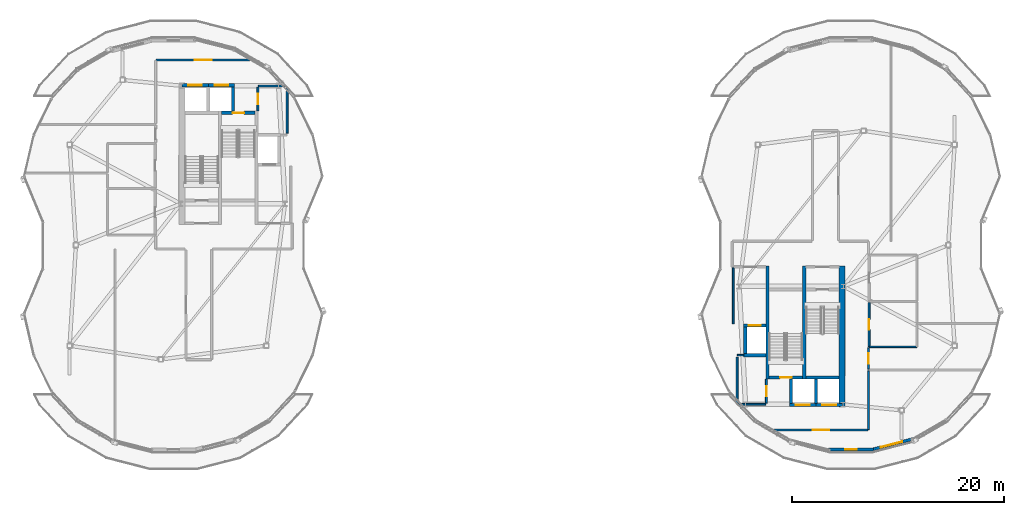
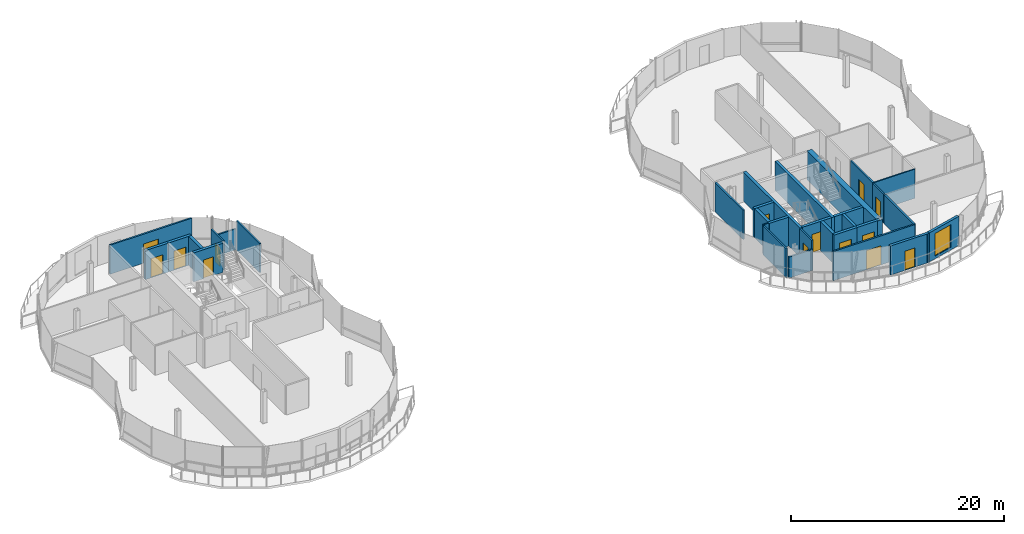
# One storey, part 13 of 20: 32 walls, 14 doors, 1 window, 15 openings.
"""IFC4 building model written with IfcOpenShell, lengths in metres."""

from ifc_helpers import new_model, si_unit, direction, frame, frame_2d, origin, place, context, subcontext, project, spatial, rectangle, extrude, material, layer, layer_set, type_object, element, fill, save


model = new_model("IFC4")

# Units and contexts
model_context = context("Model", 3, precision=1e-05, world=origin(), true_north=direction((0.0, 1.0)))
body_context = subcontext(model_context, "Body", "Model", "MODEL_VIEW")
ifc_project = project(units=[si_unit("LENGTHUNIT", "METRE"), si_unit("AREAUNIT", "SQUARE_METRE"), si_unit("VOLUMEUNIT", "CUBIC_METRE"), si_unit("PLANEANGLEUNIT", "RADIAN"), si_unit("MASSUNIT", "GRAM", prefix="KILO"), si_unit("THERMODYNAMICTEMPERATUREUNIT", "KELVIN"), si_unit("POWERUNIT", "WATT")], contexts=[model_context])

# Site, building, storey
site_placement = place(None, origin())
site = spatial("IfcSite", under=ifc_project, at=site_placement, CompositionType="ELEMENT")
building_placement = place(site_placement, origin())
building = spatial("IfcBuilding", under=site, at=building_placement, Name="Cundina Bronze Exchange", CompositionType="ELEMENT")
storey_placement = place(building_placement, frame((0.0, 0.0, 282.800048828125)))
storey = spatial("IfcBuildingStorey", under=building, at=storey_placement, Name="L75", CompositionType="ELEMENT", Elevation=282.800048828125)

# Walls
ifc_material_1 = material(Name="Gypsum Fireboard Partition EI120")
ifc_layer_1 = layer(ifc_material_1, 0.179931640625, Name="Gypsum Fireboard Partition EI120")
ifc_layer_set_1 = layer_set([ifc_layer_1], Name="Gypsum Fireboard Partition EI120")
wall_type_1 = type_object("IfcWallType", Name="WL-COR-180", PredefinedType="PARTITIONING", material=ifc_layer_set_1)
wall_1_placement = place(storey_placement, frame((20.889892578125, -7.449951171875, 0.0), z_axis=(0.0, 0.0, 1.0), x_axis=(0.0, 1.0, 0.0)))
element("IfcWall", 1, at=wall_1_placement, inside=storey, type_object=wall_type_1, Name="L75 E Firefighting Lobby Side Wall", PredefinedType="PARTITIONING", context=body_context, shape_type="SweptSolid", body=[
    extrude(rectangle(XDim=5.300048828125, YDim=0.179931640625, at=frame_2d((2.64990234375, 0.0))), origin(), (0.0, 0.0, 1.0), 3.33984375),
])
wall_2_placement = place(storey_placement, frame((-21.25, 10.570068359375, 0.0), z_axis=(0.0, 0.0, 1.0), x_axis=(0.0, 1.0, 0.0)))
element("IfcWall", 2, at=wall_2_placement, inside=storey, type_object=wall_type_1, Name="L75 Interior Partition 002", PredefinedType="PARTITIONING", context=body_context, shape_type="SweptSolid", body=[
    extrude(rectangle(XDim=4.35986328125, YDim=0.179931640625, at=frame_2d((2.179931640625, 0.0))), origin(), (0.0, 0.0, 1.0), 3.33984375),
])
wall_3_placement = place(storey_placement, frame((-23.9599609375, 15.030029296875, 0.0), z_axis=(0.0, 0.0, 1.0), x_axis=(1.0, 0.0, 0.0)))
element("IfcWall", 3, at=wall_3_placement, inside=storey, type_object=wall_type_1, Name="L75 Interior Partition 003", PredefinedType="PARTITIONING", context=body_context, shape_type="SweptSolid", body=[
    extrude(rectangle(XDim=2.60986328125, YDim=0.179931640625, at=frame_2d((1.304931640625, 0.0))), origin(), (0.0, 0.0, 1.0), 2.412841796875),
])

# Wall, opening, door
wall_4_placement = place(storey_placement, frame((-24.02001953125, 12.669921875, 0.0), z_axis=(0.0, 0.0, 1.0), x_axis=(0.0, 1.0, 0.0)))
wall_4 = element("IfcWall", 4, at=wall_4_placement, inside=storey, type_object=wall_type_1, Name="L75 Interior Partition 004", PredefinedType="PARTITIONING", context=body_context, shape_type="SweptSolid", body=[
    extrude(rectangle(XDim=2.260009765625, YDim=0.179931640625, at=frame_2d((1.1298828125, 0.0))), origin(), (0.0, 0.0, 1.0), 3.33984375),
])
opening_1_placement = place(wall_4_placement, frame((0.655029296875, 0.0, 0.0)))
opening_1 = element("IfcOpeningElement", 5, at=opening_1_placement, cuts=wall_4, Name="Opening DW-01", PredefinedType="OPENING", context=body_context, shape_type="SweptSolid", body=[
    extrude(rectangle(XDim=0.949951171875, YDim=2.10009765625, at=frame_2d((0.47509765625, 1.050048828125))), frame((0.0, 0.099853515625, 0.0), z_axis=(0.0, -1.0, 0.0), x_axis=(1.0, 0.0, 0.0)), (0.0, 0.0, 1.0), 0.199951171875),
])
ifc_material_2 = material(Name="Solid Andean Oak Timber Grade A", Category="wood")
door_type_1 = type_object("IfcDoorType", Name="DR-WC-950", OperationType="NOTDEFINED", PredefinedType="DOOR", material=ifc_material_2)
door_1_placement = place(opening_1_placement, origin())
door_1 = element("IfcDoor", 6, at=door_1_placement, inside=storey, type_object=door_type_1, Name="L75 Interior Door 004", OperationType="SINGLE_SWING_LEFT", OverallHeight=2.10009765625, OverallWidth=0.949951171875, PredefinedType="DOOR", context=body_context, shape_type="SweptSolid", body=[
    extrude(rectangle(XDim=0.949951171875, YDim=2.10009765625, at=frame_2d((0.47509765625, 1.050048828125))), frame((0.0, 0.02490234375, 0.0), z_axis=(0.0, -1.0, 0.0), x_axis=(1.0, 0.0, 0.0)), (0.0, 0.0, 1.0), 0.050048828125),
])
fill(opening_1, door_1)

wall_5_placement = place(storey_placement, frame((-24.736083984375, 17.469970703125, 0.0), z_axis=(0.0, 0.0, 1.0), x_axis=(-1.0, 0.0, 0.0)))
wall_5 = element("IfcWall", 7, at=wall_5_placement, inside=storey, type_object=wall_type_1, Name="L75 Interior Partition 024", PredefinedType="PARTITIONING", context=body_context, shape_type="SweptSolid", body=[
    extrude(rectangle(XDim=8.892333984375, YDim=0.179931640625, at=frame_2d((4.4462890625, 0.0))), origin(), (0.0, 0.0, 1.0), 3.33984375),
])
opening_2_placement = place(wall_5_placement, frame((3.646240234375, 0.0, 0.0)))
opening_2 = element("IfcOpeningElement", 8, at=opening_2_placement, cuts=wall_5, Name="Opening DO-02", PredefinedType="OPENING", context=body_context, shape_type="SweptSolid", body=[
    extrude(rectangle(XDim=1.60009765625, YDim=2.199951171875, at=frame_2d((0.800048828125, 1.10009765625))), frame((0.0, 0.099853515625, 0.0), z_axis=(0.0, -1.0, 0.0), x_axis=(1.0, 0.0, 0.0)), (0.0, 0.0, 1.0), 0.199951171875),
])
door_type_2 = type_object("IfcDoorType", Name="DR-TRD-1600", OperationType="NOTDEFINED", PredefinedType="DOOR", material=ifc_material_2)
door_2_placement = place(opening_2_placement, origin())
door_2 = element("IfcDoor", 9, at=door_2_placement, inside=storey, type_object=door_type_2, Name="L75 Interior Door 024", OperationType="SINGLE_SWING_LEFT", OverallHeight=2.199951171875, OverallWidth=1.60009765625, PredefinedType="DOOR", context=body_context, shape_type="SweptSolid", body=[
    extrude(rectangle(XDim=1.60009765625, YDim=2.199951171875, at=frame_2d((0.800048828125, 1.10009765625))), frame((0.0, 0.02490234375, 0.0), z_axis=(0.0, -1.0, 0.0), x_axis=(1.0, 0.0, 0.0)), (0.0, 0.0, 1.0), 0.050048828125),
])
fill(opening_2, door_2)

# Walls
wall_6_placement = place(storey_placement, frame((21.25, -14.929931640625, 0.0), z_axis=(0.0, 0.0, 1.0), x_axis=(0.0, 1.0, 0.0)))
element("IfcWall", 10, at=wall_6_placement, inside=storey, type_object=wall_type_1, Name="L75 Interior Partition 027", PredefinedType="PARTITIONING", context=body_context, shape_type="SweptSolid", body=[
    extrude(rectangle(XDim=4.35986328125, YDim=0.179931640625, at=frame_2d((2.179931640625, 0.0))), origin(), (0.0, 0.0, 1.0), 3.33984375),
])
wall_7_placement = place(storey_placement, frame((21.35009765625, -15.030029296875, 0.0), z_axis=(0.0, 0.0, 1.0), x_axis=(1.0, 0.0, 0.0)))
element("IfcWall", 11, at=wall_7_placement, inside=storey, type_object=wall_type_1, Name="L75 Interior Partition 028", PredefinedType="PARTITIONING", context=body_context, shape_type="SweptSolid", body=[
    extrude(rectangle(XDim=2.60986328125, YDim=0.179931640625, at=frame_2d((1.304931640625, 0.0))), origin(), (0.0, 0.0, 1.0), 2.412841796875),
])

# Wall, opening, door
wall_8_placement = place(storey_placement, frame((24.02001953125, -14.929931640625, 0.0), z_axis=(0.0, 0.0, 1.0), x_axis=(0.0, 1.0, 0.0)))
wall_8 = element("IfcWall", 12, at=wall_8_placement, inside=storey, type_object=wall_type_1, Name="L75 Interior Partition 029", PredefinedType="PARTITIONING", context=body_context, shape_type="SweptSolid", body=[
    extrude(rectangle(XDim=2.260009765625, YDim=0.179931640625, at=frame_2d((1.1298828125, 0.0))), origin(), (0.0, 0.0, 1.0), 3.33984375),
])
opening_3_placement = place(wall_8_placement, frame((0.655029296875, 0.0, 0.0)))
opening_3 = element("IfcOpeningElement", 13, at=opening_3_placement, cuts=wall_8, Name="Opening DW-01", PredefinedType="OPENING", context=body_context, shape_type="SweptSolid", body=[
    extrude(rectangle(XDim=0.949951171875, YDim=2.10009765625, at=frame_2d((0.47509765625, 1.050048828125))), frame((0.0, 0.099853515625, 0.0), z_axis=(0.0, -1.0, 0.0), x_axis=(1.0, 0.0, 0.0)), (0.0, 0.0, 1.0), 0.199951171875),
])
door_3_placement = place(opening_3_placement, origin())
door_3 = element("IfcDoor", 14, at=door_3_placement, inside=storey, type_object=door_type_1, Name="L75 Interior Door 029", OperationType="SINGLE_SWING_RIGHT", OverallHeight=2.10009765625, OverallWidth=0.949951171875, PredefinedType="DOOR", context=body_context, shape_type="SweptSolid", body=[
    extrude(rectangle(XDim=0.949951171875, YDim=2.10009765625, at=frame_2d((0.47509765625, 1.050048828125))), frame((0.0, 0.02490234375, 0.0), z_axis=(0.0, -1.0, 0.0), x_axis=(1.0, 0.0, 0.0)), (0.0, 0.0, 1.0), 0.050048828125),
])
fill(opening_3, door_3)

wall_9_placement = place(storey_placement, frame((33.719970703125, -9.590087890625, 0.0), z_axis=(0.0, 0.0, 1.0), x_axis=(0.0, 1.0, 0.0)))
wall_9 = element("IfcWall", 15, at=wall_9_placement, inside=storey, type_object=wall_type_1, Name="L75 Interior Partition 037", PredefinedType="PARTITIONING", context=body_context, shape_type="SweptSolid", body=[
    extrude(rectangle(XDim=4.16015625, YDim=0.179931640625, at=frame_2d((2.080078125, 0.0))), origin(), (0.0, 0.0, 1.0), 3.33984375),
])
opening_4_placement = place(wall_9_placement, frame((1.580078125, 0.0, 0.0)))
opening_4 = element("IfcOpeningElement", 16, at=opening_4_placement, cuts=wall_9, Name="Opening DO-01", PredefinedType="OPENING", context=body_context, shape_type="SweptSolid", body=[
    extrude(rectangle(XDim=1.0, YDim=2.14990234375, at=frame_2d((0.5, 1.074951171875))), frame((0.0, 0.099853515625, 0.0), z_axis=(0.0, -1.0, 0.0), x_axis=(1.0, 0.0, 0.0)), (0.0, 0.0, 1.0), 0.199951171875),
])
door_type_3 = type_object("IfcDoorType", Name="DR-OFF-1000", OperationType="NOTDEFINED", PredefinedType="DOOR", material=ifc_material_2)
door_4_placement = place(opening_4_placement, origin())
door_4 = element("IfcDoor", 17, at=door_4_placement, inside=storey, type_object=door_type_3, Name="L75 Interior Door 037", OperationType="SINGLE_SWING_RIGHT", OverallHeight=2.14990234375, OverallWidth=1.0, PredefinedType="DOOR", context=body_context, shape_type="SweptSolid", body=[
    extrude(rectangle(XDim=1.0, YDim=2.14990234375, at=frame_2d((0.5, 1.074951171875))), frame((0.0, 0.02490234375, 0.0), z_axis=(0.0, -1.0, 0.0), x_axis=(1.0, 0.0, 0.0)), (0.0, 0.0, 1.0), 0.050048828125),
])
fill(opening_4, door_4)

wall_10_placement = place(storey_placement, frame((24.736083984375, -17.469970703125, 0.0), z_axis=(0.0, 0.0, 1.0), x_axis=(1.0, 0.0, 0.0)))
wall_10 = element("IfcWall", 18, at=wall_10_placement, inside=storey, type_object=wall_type_1, Name="L75 Interior Partition 041", PredefinedType="PARTITIONING", context=body_context, shape_type="SweptSolid", body=[
    extrude(rectangle(XDim=8.892333984375, YDim=0.179931640625, at=frame_2d((4.4462890625, 0.0))), origin(), (0.0, 0.0, 1.0), 3.33984375),
])
opening_5_placement = place(wall_10_placement, frame((3.646240234375, 0.0, 0.0)))
opening_5 = element("IfcOpeningElement", 19, at=opening_5_placement, cuts=wall_10, Name="Opening DO-02", PredefinedType="OPENING", context=body_context, shape_type="SweptSolid", body=[
    extrude(rectangle(XDim=1.60009765625, YDim=2.199951171875, at=frame_2d((0.800048828125, 1.10009765625))), frame((0.0, 0.099853515625, 0.0), z_axis=(0.0, -1.0, 0.0), x_axis=(1.0, 0.0, 0.0)), (0.0, 0.0, 1.0), 0.199951171875),
])
door_5_placement = place(opening_5_placement, origin())
door_5 = element("IfcDoor", 20, at=door_5_placement, inside=storey, type_object=door_type_2, Name="L75 Interior Door 041", OperationType="SINGLE_SWING_RIGHT", OverallHeight=2.199951171875, OverallWidth=1.60009765625, PredefinedType="DOOR", context=body_context, shape_type="SweptSolid", body=[
    extrude(rectangle(XDim=1.60009765625, YDim=2.199951171875, at=frame_2d((0.800048828125, 1.10009765625))), frame((0.0, 0.02490234375, 0.0), z_axis=(0.0, -1.0, 0.0), x_axis=(1.0, 0.0, 0.0)), (0.0, 0.0, 1.0), 0.050048828125),
])
fill(opening_5, door_5)

# Wall
wall_11_placement = place(storey_placement, frame((33.669921875, -17.428466796875, 0.0), z_axis=(0.0, 0.0, 1.0), x_axis=(0.0, 1.0, 0.0)))
element("IfcWall", 21, at=wall_11_placement, inside=storey, type_object=wall_type_1, Name="L75 Interior Partition 042", PredefinedType="PARTITIONING", context=body_context, shape_type="SweptSolid", body=[
    extrude(rectangle(XDim=5.53857421875, YDim=0.179931640625, at=frame_2d((2.769287109375, 0.0))), origin(), (0.0, 0.0, 1.0), 3.33984375),
])

# Wall, opening, door
wall_12_placement = place(storey_placement, frame((33.669921875, -11.7099609375, 0.0), z_axis=(0.0, 0.0, 1.0), x_axis=(0.0, 1.0, 0.0)))
wall_12 = element("IfcWall", 22, at=wall_12_placement, inside=storey, type_object=wall_type_1, Name="L75 Interior Partition 043", PredefinedType="PARTITIONING", context=body_context, shape_type="SweptSolid", body=[
    extrude(rectangle(XDim=2.008544921875, YDim=0.179931640625, at=frame_2d((1.00439453125, 0.0))), origin(), (0.0, 0.0, 1.0), 3.33984375),
])
opening_6_placement = place(wall_12_placement, frame((0.50439453125, 0.0, 0.0)))
opening_6 = element("IfcOpeningElement", 23, at=opening_6_placement, cuts=wall_12, Name="Opening DO-01", PredefinedType="OPENING", context=body_context, shape_type="SweptSolid", body=[
    extrude(rectangle(XDim=1.0, YDim=2.14990234375, at=frame_2d((0.5, 1.074951171875))), frame((0.0, 0.099853515625, 0.0), z_axis=(0.0, -1.0, 0.0), x_axis=(1.0, 0.0, 0.0)), (0.0, 0.0, 1.0), 0.199951171875),
])
door_6_placement = place(opening_6_placement, origin())
door_6 = element("IfcDoor", 24, at=door_6_placement, inside=storey, type_object=door_type_3, Name="L75 Interior Door 043", OperationType="SINGLE_SWING_LEFT", OverallHeight=2.14990234375, OverallWidth=1.0, PredefinedType="DOOR", context=body_context, shape_type="SweptSolid", body=[
    extrude(rectangle(XDim=1.0, YDim=2.14990234375, at=frame_2d((0.5, 1.074951171875))), frame((0.0, 0.02490234375, 0.0), z_axis=(0.0, -1.0, 0.0), x_axis=(1.0, 0.0, 0.0)), (0.0, 0.0, 1.0), 0.050048828125),
])
fill(opening_6, door_6)

# Wall
ifc_material_3 = material(Name="Concrete C50/60", Category="concrete")
ifc_layer_2 = layer(ifc_material_3, 0.550048828125, Name="Concrete C50/60", Category="concrete")
ifc_layer_set_2 = layer_set([ifc_layer_2], Name="Concrete C50/60")
wall_type_2 = type_object("IfcWallType", Name="WL-CORE-550", PredefinedType="SHEAR", material=ifc_layer_set_2)
wall_13_placement = place(storey_placement, frame((31.175048828125, -15.300048828125, 0.0), z_axis=(0.0, 0.0, 1.0), x_axis=(0.0, 1.0, 0.0)))
element("IfcWall", 25, at=wall_13_placement, inside=storey, type_object=wall_type_2, Name="L75 E Primary Core Shear Spine Wall", PredefinedType="SHEAR", context=body_context, shape_type="SweptSolid", body=[
    extrude(rectangle(XDim=13.330078125, YDim=0.550048828125, at=frame_2d((6.6650390625, 0.0))), origin(), (0.0, 0.0, 1.0), 3.33984375),
])

# Wall, opening, door
ifc_material_4 = material(Name="Precast Concrete C45/55", Category="concrete")
ifc_layer_3 = layer(ifc_material_4, 0.280029296875, Name="Precast Concrete C45/55", Category="concrete")
ifc_layer_set_3 = layer_set([ifc_layer_3], Name="Precast Concrete C45/55")
wall_type_3 = type_object("IfcWallType", Name="WL-EXT-280", PredefinedType="SOLIDWALL", material=ifc_layer_set_3)
wall_14_placement = place(storey_placement, frame((29.875244140625, -19.31787109375, 0.0), z_axis=(0.0, 0.0, 1.0), x_axis=(1.0, 0.0, 0.0)))
wall_14 = element("IfcWall", 26, at=wall_14_placement, inside=storey, type_object=wall_type_3, Name="L75 Leg E Crown Terrace Wall 20", PredefinedType="SOLIDWALL", context=body_context, shape_type="SweptSolid", body=[
    extrude(rectangle(XDim=4.24951171875, YDim=0.280029296875, at=frame_2d((2.124755859375, 0.0))), origin(), (0.0, 0.0, 1.0), 3.33984375),
])
opening_7_placement = place(wall_14_placement, frame((1.574951171875, 0.0, 0.0)))
opening_7 = element("IfcOpeningElement", 27, at=opening_7_placement, cuts=wall_14, Name="Opening DT-01", PredefinedType="OPENING", context=body_context, shape_type="SweptSolid", body=[
    extrude(rectangle(XDim=1.10009765625, YDim=2.199951171875, at=frame_2d((0.550048828125, 1.10009765625))), frame((0.0, 0.14990234375, 0.0), z_axis=(0.0, -1.0, 0.0), x_axis=(1.0, 0.0, 0.0)), (0.0, 0.0, 1.0), 0.300048828125),
])
ifc_material_5 = material(Name="Anodised Bronze Aluminium 6063-T6", Category="aluminium")
door_type_4 = type_object("IfcDoorType", Name="DR-TER-1100", OperationType="NOTDEFINED", PredefinedType="DOOR", material=ifc_material_5)
door_7_placement = place(opening_7_placement, origin())
door_7 = element("IfcDoor", 28, at=door_7_placement, inside=storey, type_object=door_type_4, Name="L75 Leg E Planted Terrace Access Door 20", OperationType="SINGLE_SWING_RIGHT", OverallHeight=2.199951171875, OverallWidth=1.10009765625, PredefinedType="DOOR", context=body_context, shape_type="SweptSolid", body=[
    extrude(rectangle(XDim=1.10009765625, YDim=2.199951171875, at=frame_2d((0.550048828125, 1.10009765625))), frame((0.0, 0.02490234375, 0.0), z_axis=(0.0, -1.0, 0.0), x_axis=(1.0, 0.0, 0.0)), (0.0, 0.0, 1.0), 0.050048828125),
])
fill(opening_7, door_7)

# Wall, opening, window
wall_15_placement = place(storey_placement, frame((33.809814453125, -19.35791015625, 0.0), z_axis=(0.0, 0.0, 1.0), x_axis=(0.968211504127, 0.250132931211, 0.0)))
wall_15 = element("IfcWall", 29, at=wall_15_placement, inside=storey, type_object=wall_type_3, Name="L75 Leg E Crown Feature Wall 21", PredefinedType="SOLIDWALL", context=body_context, shape_type="SweptSolid", body=[
    extrude(rectangle(XDim=4.199951171875, YDim=0.280029296875, at=frame_2d((2.10009765625, 0.0))), origin(), (0.0, 0.0, 1.0), 3.33984375),
])
opening_8_placement = place(wall_15_placement, frame((1.050048828125, 0.0, 0.300048828125)))
opening_8 = element("IfcOpeningElement", 30, at=opening_8_placement, cuts=wall_15, Name="Opening W-04", PredefinedType="OPENING", context=body_context, shape_type="SweptSolid", body=[
    extrude(rectangle(XDim=2.10009765625, YDim=2.60009765625, at=frame_2d((1.050048828125, 1.300048828125))), frame((0.0, 0.14990234375, 0.0), z_axis=(0.0, -1.0, 0.0), x_axis=(1.0, 0.0, 0.0)), (0.0, 0.0, 1.0), 0.300048828125),
])
ifc_material_6 = material(Name="Clear Low-E Insulating Glass 26mm", Category="glass")
window_type = type_object("IfcWindowType", Name="WN-CRN-2100", PartitioningType="SINGLE_PANEL", PredefinedType="WINDOW", material=ifc_material_6)
window_placement = place(opening_8_placement, origin())
window = element("IfcWindow", 31, at=window_placement, inside=storey, type_object=window_type, Name="L75 Leg E Crown Pavilion Window 21", OverallHeight=2.60009765625, OverallWidth=2.10009765625, PartitioningType="SINGLE_PANEL", PredefinedType="WINDOW", context=body_context, shape_type="SweptSolid", body=[
    extrude(rectangle(XDim=2.10009765625, YDim=2.60009765625, at=frame_2d((1.050048828125, 1.300048828125))), frame((0.0, 0.030029296875, 0.0), z_axis=(0.0, -1.0, 0.0), x_axis=(1.0, 0.0, 0.0)), (0.0, 0.0, 1.0), 0.06005859375),
])
fill(opening_8, window)

# Wall, opening, door
ifc_layer_4 = layer(ifc_material_3, 0.300048828125, Name="Concrete C50/60", Category="concrete")
ifc_layer_set_4 = layer_set([ifc_layer_4], Name="Concrete C50/60")
wall_type_4 = type_object("IfcWallType", Name="WL-SHFT-300", PredefinedType="SHEAR", material=ifc_layer_set_4)
wall_16_placement = place(storey_placement, frame((-27.43994140625, 12.5, 0.0), z_axis=(0.0, 0.0, 1.0), x_axis=(1.0, 0.0, 0.0)))
wall_16 = element("IfcWall", 32, at=wall_16_placement, inside=storey, type_object=wall_type_4, Name="L75 Stair W2 Landing Wall", PredefinedType="SHEAR", context=body_context, shape_type="SweptSolid", body=[
    extrude(rectangle(XDim=3.159912109375, YDim=0.300048828125, at=frame_2d((1.580078125, 0.0))), origin(), (0.0, 0.0, 1.0), 3.33984375),
])
opening_9_placement = place(wall_16_placement, frame((1.030029296875, 0.0, 0.0)))
opening_9 = element("IfcOpeningElement", 33, at=opening_9_placement, cuts=wall_16, Name="Opening DS-01", PredefinedType="OPENING", context=body_context, shape_type="SweptSolid", body=[
    extrude(rectangle(XDim=1.10009765625, YDim=2.14990234375, at=frame_2d((0.550048828125, 1.074951171875))), frame((0.0, 0.159912109375, 0.0), z_axis=(0.0, -1.0, 0.0), x_axis=(1.0, 0.0, 0.0)), (0.0, 0.0, 1.0), 0.320068359375),
])
ifc_material_7 = material(Name="Steel ASTM A36 Painted", Category="steel")
door_type_5 = type_object("IfcDoorType", Name="DR-STR-1100", OperationType="NOTDEFINED", PredefinedType="DOOR", material=ifc_material_7)
door_8_placement = place(opening_9_placement, origin())
door_8 = element("IfcDoor", 34, at=door_8_placement, inside=storey, type_object=door_type_5, Name="L75 Smokeproof Stair W2 Door", OperationType="SINGLE_SWING_LEFT", OverallHeight=2.14990234375, OverallWidth=1.10009765625, PredefinedType="DOOR", context=body_context, shape_type="SweptSolid", body=[
    extrude(rectangle(XDim=1.10009765625, YDim=2.14990234375, at=frame_2d((0.550048828125, 1.074951171875))), frame((0.0, 0.02490234375, 0.0), z_axis=(0.0, -1.0, 0.0), x_axis=(1.0, 0.0, 0.0)), (0.0, 0.0, 1.0), 0.050048828125),
])
fill(opening_9, door_8)

wall_17_placement = place(storey_placement, frame((-31.199951171875, 15.10009765625, 0.0), z_axis=(0.0, 0.0, 1.0), x_axis=(1.0, 0.0, 0.0)))
wall_17 = element("IfcWall", 35, at=wall_17_placement, inside=storey, type_object=wall_type_4, Name="L75 PH-W1 Hoistway Front Wall", PredefinedType="SHEAR", context=body_context, shape_type="SweptSolid", body=[
    extrude(rectangle(XDim=2.5, YDim=0.300048828125, at=frame_2d((1.25, 0.0))), origin(), (0.0, 0.0, 1.0), 3.33984375),
])
opening_10_placement = place(wall_17_placement, frame((0.60009765625, 0.0, 0.0)))
opening_10 = element("IfcOpeningElement", 36, at=opening_10_placement, cuts=wall_17, Name="Opening LD-02", PredefinedType="OPENING", context=body_context, shape_type="SweptSolid", body=[
    extrude(rectangle(XDim=1.300048828125, YDim=2.199951171875, at=frame_2d((0.64990234375, 1.10009765625))), frame((0.0, 0.159912109375, 0.0), z_axis=(0.0, -1.0, 0.0), x_axis=(1.0, 0.0, 0.0)), (0.0, 0.0, 1.0), 0.320068359375),
])
door_type_6 = type_object("IfcDoorType", Name="DR-LND-1300", OperationType="NOTDEFINED", PredefinedType="TRAPDOOR", material=ifc_material_7)
door_9_placement = place(opening_10_placement, origin())
door_9 = element("IfcDoor", 37, at=door_9_placement, inside=storey, type_object=door_type_6, Name="L75 PH-W1 Sliding Landing Door", OperationType="SLIDING_TO_LEFT", OverallHeight=2.199951171875, OverallWidth=1.300048828125, PredefinedType="TRAPDOOR", context=body_context, shape_type="SweptSolid", body=[
    extrude(rectangle(XDim=1.300048828125, YDim=2.199951171875, at=frame_2d((0.64990234375, 1.10009765625))), frame((0.0, 0.02490234375, 0.0), z_axis=(0.0, -1.0, 0.0), x_axis=(1.0, 0.0, 0.0)), (0.0, 0.0, 1.0), 0.050048828125),
])
fill(opening_10, door_9)

wall_18_placement = place(storey_placement, frame((-28.699951171875, 15.10009765625, 0.0), z_axis=(0.0, 0.0, 1.0), x_axis=(1.0, 0.0, 0.0)))
wall_18 = element("IfcWall", 38, at=wall_18_placement, inside=storey, type_object=wall_type_4, Name="L75 PH-W2 Hoistway Front Wall", PredefinedType="SHEAR", context=body_context, shape_type="SweptSolid", body=[
    extrude(rectangle(XDim=2.5, YDim=0.300048828125, at=frame_2d((1.25, 0.0))), origin(), (0.0, 0.0, 1.0), 3.33984375),
])
opening_11_placement = place(wall_18_placement, frame((0.60009765625, 0.0, 0.0)))
opening_11 = element("IfcOpeningElement", 39, at=opening_11_placement, cuts=wall_18, Name="Opening LD-02", PredefinedType="OPENING", context=body_context, shape_type="SweptSolid", body=[
    extrude(rectangle(XDim=1.300048828125, YDim=2.199951171875, at=frame_2d((0.64990234375, 1.10009765625))), frame((0.0, 0.159912109375, 0.0), z_axis=(0.0, -1.0, 0.0), x_axis=(1.0, 0.0, 0.0)), (0.0, 0.0, 1.0), 0.320068359375),
])
door_10_placement = place(opening_11_placement, origin())
door_10 = element("IfcDoor", 40, at=door_10_placement, inside=storey, type_object=door_type_6, Name="L75 PH-W2 Sliding Landing Door", OperationType="SLIDING_TO_LEFT", OverallHeight=2.199951171875, OverallWidth=1.300048828125, PredefinedType="TRAPDOOR", context=body_context, shape_type="SweptSolid", body=[
    extrude(rectangle(XDim=1.300048828125, YDim=2.199951171875, at=frame_2d((0.64990234375, 1.10009765625))), frame((0.0, 0.02490234375, 0.0), z_axis=(0.0, -1.0, 0.0), x_axis=(1.0, 0.0, 0.0)), (0.0, 0.0, 1.0), 0.050048828125),
])
fill(opening_11, door_10)

# Walls
wall_19_placement = place(storey_placement, frame((-26.35009765625, 12.64990234375, 0.0), z_axis=(0.0, 0.0, 1.0), x_axis=(0.0, 1.0, 0.0)))
element("IfcWall", 41, at=wall_19_placement, inside=storey, type_object=wall_type_4, Name="L75 PH-W2 Hoistway Divider Wall", PredefinedType="SHEAR", context=body_context, shape_type="SweptSolid", body=[
    extrude(rectangle(XDim=2.300048828125, YDim=0.300048828125, at=frame_2d((1.14990234375, 0.0))), origin(), (0.0, 0.0, 1.0), 3.33984375),
])
for number, where, z_axis, x_axis, name in (
    (42, (27.590087890625, -12.64990234375, 0.0), (0.0, 0.0, 1.0), (0.0, 1.0, 0.0), "L75 E Stair Shaft Dividing Shear Wall"),
    (43, (24.1298828125, -12.64990234375, 0.0), (0.0, 0.0, 1.0), (0.0, 1.0, 0.0), "L75 E Stair 2 East Shear Wall"),
):
    element("IfcWall", number, at=place(storey_placement, frame(where, z_axis=z_axis, x_axis=x_axis)), inside=storey, type_object=wall_type_4, Name=name, PredefinedType="SHEAR", context=body_context, shape_type="SweptSolid", body=[
        extrude(rectangle(XDim=10.679931640625, YDim=0.300048828125, at=frame_2d((5.33984375, 0.0))), origin(), (0.0, 0.0, 1.0), 3.33984375),
    ])
wall_20_placement = place(storey_placement, frame((27.739990234375, -12.5, 0.0), z_axis=(0.0, 0.0, 1.0), x_axis=(1.0, 0.0, 0.0)))
element("IfcWall", 44, at=wall_20_placement, inside=storey, type_object=wall_type_4, Name="L75 Stair E1 Far Shaft Wall", PredefinedType="SHEAR", context=body_context, shape_type="SweptSolid", body=[
    extrude(rectangle(XDim=3.159912109375, YDim=0.300048828125, at=frame_2d((1.580078125, 0.0))), origin(), (0.0, 0.0, 1.0), 3.33984375),
])

# Wall, opening, door
wall_21_placement = place(storey_placement, frame((24.280029296875, -12.5, 0.0), z_axis=(0.0, 0.0, 1.0), x_axis=(1.0, 0.0, 0.0)))
wall_21 = element("IfcWall", 45, at=wall_21_placement, inside=storey, type_object=wall_type_4, Name="L75 Stair E2 Landing Wall", PredefinedType="SHEAR", context=body_context, shape_type="SweptSolid", body=[
    extrude(rectangle(XDim=3.159912109375, YDim=0.300048828125, at=frame_2d((1.580078125, 0.0))), origin(), (0.0, 0.0, 1.0), 3.33984375),
])
opening_12_placement = place(wall_21_placement, frame((1.030029296875, 0.0, 0.0)))
opening_12 = element("IfcOpeningElement", 46, at=opening_12_placement, cuts=wall_21, Name="Opening DS-01", PredefinedType="OPENING", context=body_context, shape_type="SweptSolid", body=[
    extrude(rectangle(XDim=1.10009765625, YDim=2.14990234375, at=frame_2d((0.550048828125, 1.074951171875))), frame((0.0, 0.159912109375, 0.0), z_axis=(0.0, -1.0, 0.0), x_axis=(1.0, 0.0, 0.0)), (0.0, 0.0, 1.0), 0.320068359375),
])
door_11_placement = place(opening_12_placement, origin())
door_11 = element("IfcDoor", 47, at=door_11_placement, inside=storey, type_object=door_type_5, Name="L75 Smokeproof Stair E2 Door", OperationType="SINGLE_SWING_RIGHT", OverallHeight=2.14990234375, OverallWidth=1.10009765625, PredefinedType="DOOR", context=body_context, shape_type="SweptSolid", body=[
    extrude(rectangle(XDim=1.10009765625, YDim=2.14990234375, at=frame_2d((0.550048828125, 1.074951171875))), frame((0.0, 0.02490234375, 0.0), z_axis=(0.0, -1.0, 0.0), x_axis=(1.0, 0.0, 0.0)), (0.0, 0.0, 1.0), 0.050048828125),
])
fill(opening_12, door_11)

wall_22_placement = place(storey_placement, frame((21.8798828125, -7.60009765625, 0.0), z_axis=(0.0, 0.0, 1.0), x_axis=(1.0, 0.0, 0.0)))
wall_22 = element("IfcWall", 48, at=wall_22_placement, inside=storey, type_object=wall_type_4, Name="L75 FFL-E Hoistway Front Wall", PredefinedType="SHEAR", context=body_context, shape_type="SweptSolid", body=[
    extrude(rectangle(XDim=2.10009765625, YDim=0.300048828125, at=frame_2d((1.050048828125, 0.0))), origin(), (0.0, 0.0, 1.0), 3.33984375),
])
opening_13_placement = place(wall_22_placement, frame((0.47509765625, 0.0, 0.0)))
opening_13 = element("IfcOpeningElement", 49, at=opening_13_placement, cuts=wall_22, Name="Opening LD-01", PredefinedType="OPENING", context=body_context, shape_type="SweptSolid", body=[
    extrude(rectangle(XDim=1.14990234375, YDim=2.199951171875, at=frame_2d((0.574951171875, 1.10009765625))), frame((0.0, 0.159912109375, 0.0), z_axis=(0.0, -1.0, 0.0), x_axis=(1.0, 0.0, 0.0)), (0.0, 0.0, 1.0), 0.320068359375),
])
door_type_7 = type_object("IfcDoorType", Name="DR-LND-1150", OperationType="NOTDEFINED", PredefinedType="TRAPDOOR", material=ifc_material_7)
door_12_placement = place(opening_13_placement, origin())
door_12 = element("IfcDoor", 50, at=door_12_placement, inside=storey, type_object=door_type_7, Name="L75 FFL-E Sliding Landing Door", OperationType="SLIDING_TO_LEFT", OverallHeight=2.199951171875, OverallWidth=1.14990234375, PredefinedType="TRAPDOOR", context=body_context, shape_type="SweptSolid", body=[
    extrude(rectangle(XDim=1.14990234375, YDim=2.199951171875, at=frame_2d((0.574951171875, 1.10009765625))), frame((0.0, 0.02490234375, 0.0), z_axis=(0.0, -1.0, 0.0), x_axis=(1.0, 0.0, 0.0)), (0.0, 0.0, 1.0), 0.050048828125),
])
fill(opening_13, door_12)

# Walls
wall_23_placement = place(storey_placement, frame((21.8798828125, -10.39990234375, 0.0), z_axis=(0.0, 0.0, 1.0), x_axis=(1.0, 0.0, 0.0)))
element("IfcWall", 51, at=wall_23_placement, inside=storey, type_object=wall_type_4, Name="L75 FFL-E Hoistway Back Wall", PredefinedType="SHEAR", context=body_context, shape_type="SweptSolid", body=[
    extrude(rectangle(XDim=2.10009765625, YDim=0.300048828125, at=frame_2d((1.050048828125, 0.0))), origin(), (0.0, 0.0, 1.0), 3.33984375),
])
wall_24_placement = place(storey_placement, frame((22.030029296875, -10.25, 0.0), z_axis=(0.0, 0.0, 1.0), x_axis=(0.0, 1.0, 0.0)))
element("IfcWall", 52, at=wall_24_placement, inside=storey, type_object=wall_type_4, Name="L75 FFL-E Hoistway Side Wall", PredefinedType="SHEAR", context=body_context, shape_type="SweptSolid", body=[
    extrude(rectangle(XDim=2.5, YDim=0.300048828125, at=frame_2d((1.25, 0.0))), origin(), (0.0, 0.0, 1.0), 3.33984375),
])

# Wall, opening, door
wall_25_placement = place(storey_placement, frame((28.699951171875, -15.10009765625, 0.0), z_axis=(0.0, 0.0, 1.0), x_axis=(1.0, 0.0, 0.0)))
wall_25 = element("IfcWall", 53, at=wall_25_placement, inside=storey, type_object=wall_type_4, Name="L75 PH-E1 Hoistway Front Wall", PredefinedType="SHEAR", context=body_context, shape_type="SweptSolid", body=[
    extrude(rectangle(XDim=2.5, YDim=0.300048828125, at=frame_2d((1.25, 0.0))), origin(), (0.0, 0.0, 1.0), 3.33984375),
])
opening_14_placement = place(wall_25_placement, frame((0.60009765625, 0.0, 0.0)))
opening_14 = element("IfcOpeningElement", 54, at=opening_14_placement, cuts=wall_25, Name="Opening LD-02", PredefinedType="OPENING", context=body_context, shape_type="SweptSolid", body=[
    extrude(rectangle(XDim=1.300048828125, YDim=2.199951171875, at=frame_2d((0.64990234375, 1.10009765625))), frame((0.0, 0.159912109375, 0.0), z_axis=(0.0, -1.0, 0.0), x_axis=(1.0, 0.0, 0.0)), (0.0, 0.0, 1.0), 0.320068359375),
])
door_13_placement = place(opening_14_placement, origin())
door_13 = element("IfcDoor", 55, at=door_13_placement, inside=storey, type_object=door_type_6, Name="L75 PH-E1 Sliding Landing Door", OperationType="SLIDING_TO_LEFT", OverallHeight=2.199951171875, OverallWidth=1.300048828125, PredefinedType="TRAPDOOR", context=body_context, shape_type="SweptSolid", body=[
    extrude(rectangle(XDim=1.300048828125, YDim=2.199951171875, at=frame_2d((0.64990234375, 1.10009765625))), frame((0.0, 0.02490234375, 0.0), z_axis=(0.0, -1.0, 0.0), x_axis=(1.0, 0.0, 0.0)), (0.0, 0.0, 1.0), 0.050048828125),
])
fill(opening_14, door_13)

# Wall
wall_26_placement = place(storey_placement, frame((28.699951171875, -14.949951171875, 0.0), z_axis=(0.0, 0.0, 1.0), x_axis=(0.0, 1.0, 0.0)))
element("IfcWall", 56, at=wall_26_placement, inside=storey, type_object=wall_type_4, Name="L75 PH-E1 Hoistway Divider Wall", PredefinedType="SHEAR", context=body_context, shape_type="SweptSolid", body=[
    extrude(rectangle(XDim=2.300048828125, YDim=0.300048828125, at=frame_2d((1.14990234375, 0.0))), origin(), (0.0, 0.0, 1.0), 3.33984375),
])

# Wall, opening, door
wall_27_placement = place(storey_placement, frame((26.199951171875, -15.10009765625, 0.0), z_axis=(0.0, 0.0, 1.0), x_axis=(1.0, 0.0, 0.0)))
wall_27 = element("IfcWall", 57, at=wall_27_placement, inside=storey, type_object=wall_type_4, Name="L75 PH-E2 Hoistway Front Wall", PredefinedType="SHEAR", context=body_context, shape_type="SweptSolid", body=[
    extrude(rectangle(XDim=2.5, YDim=0.300048828125, at=frame_2d((1.25, 0.0))), origin(), (0.0, 0.0, 1.0), 3.33984375),
])
opening_15_placement = place(wall_27_placement, frame((0.60009765625, 0.0, 0.0)))
opening_15 = element("IfcOpeningElement", 58, at=opening_15_placement, cuts=wall_27, Name="Opening LD-02", PredefinedType="OPENING", context=body_context, shape_type="SweptSolid", body=[
    extrude(rectangle(XDim=1.300048828125, YDim=2.199951171875, at=frame_2d((0.64990234375, 1.10009765625))), frame((0.0, 0.159912109375, 0.0), z_axis=(0.0, -1.0, 0.0), x_axis=(1.0, 0.0, 0.0)), (0.0, 0.0, 1.0), 0.320068359375),
])
door_14_placement = place(opening_15_placement, origin())
door_14 = element("IfcDoor", 59, at=door_14_placement, inside=storey, type_object=door_type_6, Name="L75 PH-E2 Sliding Landing Door", OperationType="SLIDING_TO_LEFT", OverallHeight=2.199951171875, OverallWidth=1.300048828125, PredefinedType="TRAPDOOR", context=body_context, shape_type="SweptSolid", body=[
    extrude(rectangle(XDim=1.300048828125, YDim=2.199951171875, at=frame_2d((0.64990234375, 1.10009765625))), frame((0.0, 0.02490234375, 0.0), z_axis=(0.0, -1.0, 0.0), x_axis=(1.0, 0.0, 0.0)), (0.0, 0.0, 1.0), 0.050048828125),
])
fill(opening_15, door_14)

# Walls
wall_28_placement = place(storey_placement, frame((26.35009765625, -14.949951171875, 0.0), z_axis=(0.0, 0.0, 1.0), x_axis=(0.0, 1.0, 0.0)))
element("IfcWall", 60, at=wall_28_placement, inside=storey, type_object=wall_type_4, Name="L75 PH-E2 Hoistway Divider Wall", PredefinedType="SHEAR", context=body_context, shape_type="SweptSolid", body=[
    extrude(rectangle(XDim=2.300048828125, YDim=0.300048828125, at=frame_2d((1.14990234375, 0.0))), origin(), (0.0, 0.0, 1.0), 3.33984375),
])
ifc_material_8 = material(Name="Moisture-Resistant Masonry Block Grade M15", Category="masonry")
ifc_layer_5 = layer(ifc_material_8, 0.139892578125, Name="Moisture-Resistant Masonry Block Grade M15", Category="masonry")
ifc_layer_set_5 = layer_set([ifc_layer_5], Name="Moisture-Resistant Masonry Block Grade M15")
wall_type_5 = type_object("IfcWallType", Name="WL-WET-140", PredefinedType="PARTITIONING", material=ifc_layer_set_5)
wall_29_placement = place(storey_placement, frame((21.27001953125, -10.39990234375, 0.0), z_axis=(0.0, 0.0, 1.0), x_axis=(1.0, 0.0, 0.0)))
element("IfcWall", 61, at=wall_29_placement, inside=storey, type_object=wall_type_5, Name="L75 Interior Partition 026", PredefinedType="PARTITIONING", context=body_context, shape_type="SweptSolid", body=[
    extrude(rectangle(XDim=0.590087890625, YDim=0.139892578125, at=frame_2d((0.294921875, 0.0))), origin(), (0.0, 0.0, 1.0), 3.33984375),
])
wall_30_placement = place(storey_placement, frame((33.739990234375, -9.610107421875, 0.0), z_axis=(0.0, 0.0, 1.0), x_axis=(1.0, 0.0, 0.0)))
element("IfcWall", 62, at=wall_30_placement, inside=storey, type_object=wall_type_5, Name="L75 Interior Partition 035", PredefinedType="PARTITIONING", context=body_context, shape_type="SweptSolid", body=[
    extrude(rectangle(XDim=4.47998046875, YDim=0.139892578125, at=frame_2d((2.239990234375, 0.0))), origin(), (0.0, 0.0, 1.0), 3.33984375),
])

save(model, "model.ifc")
